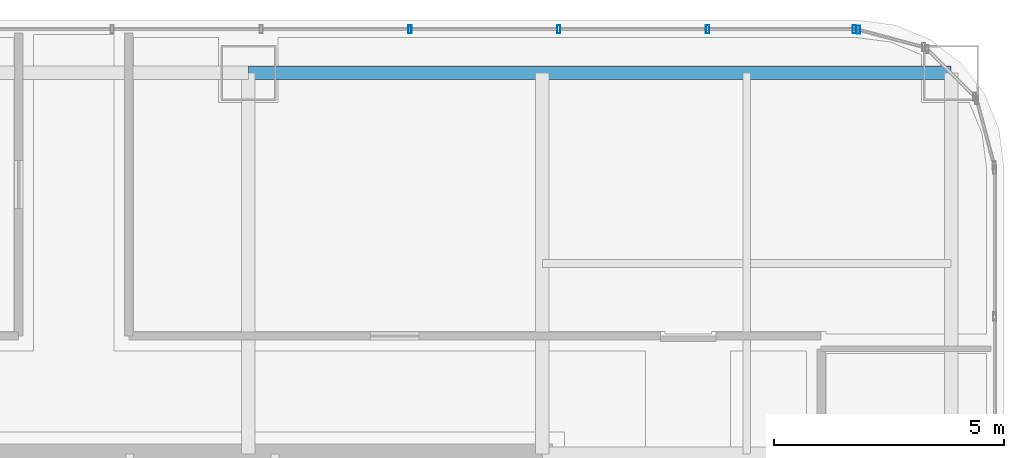
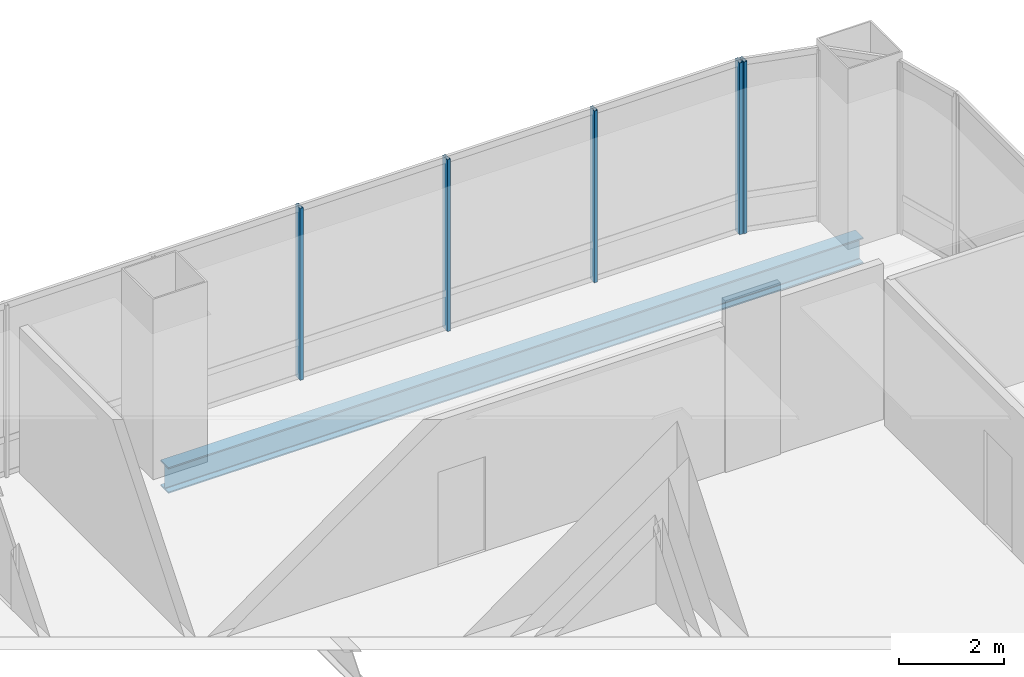
# One storey, part 31 of 43: 5 members, 1 beam, 2 elements without a shape of their own.
"""IFC4 building model written with IfcOpenShell, lengths in metres."""

import ifcopenshell
import ifcopenshell.guid

model = None  # the IFC model being written
_history = None  # IfcOwnerHistory: only IFC2X3 demands one
_inside = {}  # id of a spatial element -> (the spatial element, [elements in it])
_under = {}  # id of a project, library or spatial element -> (it, [spatial elements below it])
_declared = {}  # id of a project -> (the project, [libraries it declares])
_typed = {}  # id of a type object -> (the type object, [elements of that type])
_made_of = {}  # id of a material, layer set ... -> (it, [elements and type objects made of it])


def new_model(schema):
    """Start an empty IFC model of exactly this schema.

    Asked for "IFC4X3", IfcOpenShell would pick the latest addendum, in which some entities
    have other attributes; the version numbers below select the first issue.
    IFC2X3 requires an IfcOwnerHistory on every rooted entity: one is made here for all.
    """
    global model, _history
    if schema == "IFC4X3":
        model = ifcopenshell.file(schema_version=(4, 3, 0, 0))
    else:
        model = ifcopenshell.file(schema=schema)
    _inside.clear()
    _under.clear()
    _declared.clear()
    _typed.clear()
    _made_of.clear()
    _history = None
    if model.schema == "IFC2X3":
        org = make("IfcOrganization", Name="unknown")
        user = make(
            "IfcPersonAndOrganization",
            ThePerson=make("IfcPerson", FamilyName="unknown"),
            TheOrganization=org,
        )
        app = make(
            "IfcApplication",
            ApplicationDeveloper=org,
            Version="unknown",
            ApplicationFullName="unknown",
            ApplicationIdentifier="unknown",
        )
        _history = make(
            "IfcOwnerHistory",
            OwningUser=user,
            OwningApplication=app,
            ChangeAction="ADDED",
            CreationDate=0,
        )
    return model


def make(cls, **values):
    """One entity of the class cls with the attributes given. An attribute that is None is left unset."""
    return model.create_entity(
        cls, **{name: value for name, value in values.items() if value is not None}
    )


def rooted(cls, **values):
    """An entity with a GlobalId (a new one), such as an element, a storey or a relation."""
    return make(cls, GlobalId=ifcopenshell.guid.new(), OwnerHistory=_history, **values)


def si_unit(unit_type, name, prefix=None):
    """IfcSIUnit, for example si_unit("LENGTHUNIT", "METRE", prefix="MILLI")."""
    return make("IfcSIUnit", UnitType=unit_type, Prefix=prefix, Name=name)


def assignment(units):
    """IfcUnitAssignment: the units of a project."""
    return None if units is None else make("IfcUnitAssignment", Units=units)


def point(xyz):
    """IfcCartesianPoint."""
    return None if xyz is None else make("IfcCartesianPoint", Coordinates=xyz)


def direction(xyz):
    """IfcDirection."""
    return None if xyz is None else make("IfcDirection", DirectionRatios=xyz)


def frame(location, z_axis=None, x_axis=None):
    """IfcAxis2Placement3D, a coordinate frame: its origin and axes. An axis left out is left unset."""
    return make(
        "IfcAxis2Placement3D",
        Location=point(location),
        Axis=direction(z_axis),
        RefDirection=direction(x_axis),
    )


def frame_2d(location, x_axis=None):
    """IfcAxis2Placement2D, a coordinate frame in the plane: its origin and x axis."""
    return make(
        "IfcAxis2Placement2D", Location=point(location), RefDirection=direction(x_axis)
    )


def origin():
    """The frame at (0, 0, 0) with its axes left unset."""
    return frame((0.0, 0.0, 0.0))


def origin_2d():
    """The frame at (0, 0) in the plane with its x axis left unset."""
    return frame_2d((0.0, 0.0))


def place(relative_to, where):
    """IfcLocalPlacement: puts the frame where relative to a parent placement (None: the world)."""
    return make(
        "IfcLocalPlacement", PlacementRelTo=relative_to, RelativePlacement=where
    )


def context(
    kind, dimensions, precision=None, world=None, true_north=None, identifier=None
):
    """IfcGeometricRepresentationContext, for example the 3D "Model" context."""
    return make(
        "IfcGeometricRepresentationContext",
        ContextIdentifier=identifier,
        ContextType=kind,
        CoordinateSpaceDimension=dimensions,
        Precision=precision,
        WorldCoordinateSystem=world,
        TrueNorth=true_north,
    )


def subcontext(parent, identifier, kind, view, scale=None):
    """IfcGeometricRepresentationSubContext, for example "Body" below "Model"."""
    return make(
        "IfcGeometricRepresentationSubContext",
        ContextIdentifier=identifier,
        ContextType=kind,
        ParentContext=parent,
        TargetScale=scale,
        TargetView=view,
    )


def project(units=None, contexts=None):
    """IfcProject with its units and contexts."""
    return rooted(
        "IfcProject",
        Name="project",
        RepresentationContexts=contexts,
        UnitsInContext=assignment(units),
    )


def spatial(cls, under=None, at=None, **own):
    """A site, building, storey or space (cls), placed at a placement, below another one or the project."""
    s = rooted(cls, ObjectPlacement=at, **own)
    if under is not None:
        _under.setdefault(under.id(), (under, []))[1].append(s)
    return s


def profile(cls, at=None, kind="AREA", **sizes):
    """A parametric profile (cls). Its sizes go by their IFC names, for example OverallWidth=200.0."""
    return make(cls, ProfileType=kind, Position=at, **sizes)


def hollow_rectangle(**sizes):
    """IfcRectangleHollowProfileDef."""
    return profile("IfcRectangleHollowProfileDef", **sizes)


def i_section(**sizes):
    """IfcIShapeProfileDef."""
    return profile("IfcIShapeProfileDef", **sizes)


def extrude(swept, where, along, depth):
    """IfcExtrudedAreaSolid: the profile swept, set in the frame where, extruded along a direction by depth."""
    return make(
        "IfcExtrudedAreaSolid",
        SweptArea=swept,
        Position=where,
        ExtrudedDirection=direction(along),
        Depth=depth,
    )


def shape(context_of_items, identifier, shape_type, items):
    """IfcShapeRepresentation: the items that make up one representation, for example the "Body"."""
    return make(
        "IfcShapeRepresentation",
        ContextOfItems=context_of_items,
        RepresentationIdentifier=identifier,
        RepresentationType=shape_type,
        Items=items,
    )


def material(Name=None, Category=None):
    """IfcMaterial."""
    return make("IfcMaterial", Name=Name, Category=Category)


def material_profile(
    of_material, cross_section, Name=None, Category=None, Priority=None
):
    """IfcMaterialProfile: a cross section and its material."""
    return make(
        "IfcMaterialProfile",
        Name=Name,
        Material=of_material,
        Profile=cross_section,
        Priority=Priority,
        Category=Category,
    )


def profile_set(profiles, Name=None, composite=None):
    """IfcMaterialProfileSet."""
    return make(
        "IfcMaterialProfileSet",
        Name=Name,
        MaterialProfiles=profiles,
        CompositeProfile=composite,
    )


def made_of(thing, what):
    """Note that an element or type object is made of a material, layer set ...; save() writes the relation."""
    if what is not None:
        _made_of.setdefault(what.id(), (what, []))[1].append(thing)
    return thing


def type_object(cls, material=None, **own):
    """A type object (cls), such as IfcWallType, which elements share."""
    return made_of(rooted(cls, **own), material)


def element(
    cls,
    number,
    at=None,
    inside=None,
    cuts=None,
    type_object=None,
    material=None,
    context=None,
    identifier="Body",
    shape_type=None,
    held_by="IfcProductDefinitionShape",
    body=None,
    shapes=None,
    **own,
):
    """One element of the class cls, such as IfcWall. Its Tag is "e" and its number.

    at: its placement. inside: the storey or other place that contains it. cuts: it is an
    opening in that element (IfcRelVoidsElement). A single representation is given by context,
    identifier, shape_type and body (its items); several are given by shapes. held_by: the class
    of the entity that holds the representations. save() writes the other relations.
    """
    e = rooted(cls, Tag="e%d" % number, ObjectPlacement=at, **own)
    if body is not None:
        shapes = [shape(context, identifier, shape_type, body)]
    if shapes is not None:
        e.Representation = make(held_by, Representations=shapes)
    if inside is not None:
        _inside.setdefault(inside.id(), (inside, []))[1].append(e)
    if cuts is not None:
        rooted(
            "IfcRelVoidsElement", RelatingBuildingElement=cuts, RelatedOpeningElement=e
        )
    if type_object is not None:
        _typed.setdefault(type_object.id(), (type_object, []))[1].append(e)
    return made_of(e, material)


def aggregate(whole, parts):
    """IfcRelAggregates: a whole, such as a stair, and the parts it consists of."""
    return rooted("IfcRelAggregates", RelatingObject=whole, RelatedObjects=parts)


def save(model, path):
    """Write the relations noted so far, then the file.

    IfcRelAggregates (storeys below a building ...), IfcRelContainedInSpatialStructure (elements
    in a storey), IfcRelDefinesByType, IfcRelAssociatesMaterial and IfcRelDeclares: one each for
    every whole, place, type object, material and project.
    """
    for whole, parts in _under.values():
        aggregate(whole, parts)
    for where, things in _inside.values():
        rooted(
            "IfcRelContainedInSpatialStructure",
            RelatedElements=things,
            RelatingStructure=where,
        )
    for kind, things in _typed.values():
        rooted("IfcRelDefinesByType", RelatedObjects=things, RelatingType=kind)
    for what, things in _made_of.values():
        rooted("IfcRelAssociatesMaterial", RelatedObjects=things, RelatingMaterial=what)
    for by, libraries in _declared.values():
        rooted("IfcRelDeclares", RelatingContext=by, RelatedDefinitions=libraries)
    model.write(path)


model = new_model("IFC4")

# Units and contexts
model_context = context("Model", 3, precision=1e-05, world=origin(), true_north=direction((0.0, 1.0)))
body_context = subcontext(model_context, "Body", "Model", "MODEL_VIEW")
ifc_project = project(units=[si_unit("LENGTHUNIT", "METRE"), si_unit("AREAUNIT", "SQUARE_METRE"), si_unit("VOLUMEUNIT", "CUBIC_METRE"), si_unit("PLANEANGLEUNIT", "RADIAN"), si_unit("MASSUNIT", "GRAM", prefix="KILO")], contexts=[model_context])

# Site, building, storey
site_placement = place(None, origin())
site = spatial("IfcSite", under=ifc_project, at=site_placement, CompositionType="ELEMENT")
building_placement = place(site_placement, origin())
building = spatial("IfcBuilding", under=site, at=building_placement, Name="Punatoya Terracotta Tower", CompositionType="ELEMENT")
storey_placement = place(building_placement, frame((0.0, 0.0, 321.60009765625)))
storey = spatial("IfcBuildingStorey", under=building, at=storey_placement, Name="L76", CompositionType="ELEMENT", Elevation=321.60009765625)

# Beam
ifc_material_1 = material(Name="Steel S355", Category="steel")
ifc_material_profile_1 = material_profile(ifc_material_1, i_section(OverallWidth=0.300048828125, OverallDepth=0.60009765625, WebThickness=0.015380859375, FlangeThickness=0.030029296875, FilletRadius=0.01806640625, at=origin_2d()))
ifc_profile_set_1 = profile_set([ifc_material_profile_1], Name="Steel S355")
beam_type = type_object("IfcBeamType", Name="BM-PRI-600", PredefinedType="BEAM", material=ifc_profile_set_1)
beam_placement = place(storey_placement, frame((3.800048828125, 17.5, -0.5), z_axis=(1.0, 0.0, 0.0), x_axis=(0.0, 1.0, 0.0)))
element("IfcBeam", 1, at=beam_placement, inside=storey, type_object=beam_type, Name="BM-L76-RG-N3", PredefinedType="BEAM", context=body_context, shape_type="SweptSolid", body=[
    extrude(i_section(OverallWidth=0.300048828125, OverallDepth=0.60009765625, WebThickness=0.015380859375, FlangeThickness=0.030029296875, FilletRadius=0.01806640625, at=origin_2d()), origin(), (0.0, 0.0, 1.0), 15.300048828125),
])

# Curtain wall, member
ifc_material_2 = material(Name="Aluminium 6063-T6 + Double Low-E Glass", Category="aluminium")
curtain_wall_type = type_object("IfcCurtainWallType", Name="CW-OBS", PredefinedType="NOTDEFINED", material=ifc_material_2)
curtain_wall_1_placement = place(storey_placement, origin())
curtain_wall_1 = element("IfcCurtainWall", 2, at=curtain_wall_1_placement, inside=storey, type_object=curtain_wall_type, Name="L76 Curtain Wall CW-L76-CRN08", PredefinedType="NOTDEFINED")
ifc_material_3 = material(Name="Aluminium 6063-T6", Category="aluminium")
ifc_material_profile_2 = material_profile(ifc_material_3, hollow_rectangle(XDim=0.070068359375, YDim=0.179931640625, WallThickness=0.00390625, at=origin_2d()))
ifc_profile_set_2 = profile_set([ifc_material_profile_2], Name="Aluminium 6063-T6")
member_type = type_object("IfcMemberType", Name="CW-MUL-M3", PredefinedType="MULLION", material=ifc_profile_set_2)
member_1_placement = place(storey_placement, frame((17.080322265625, 18.4384765625, 0.0), z_axis=(0.0, 0.0, 1.0), x_axis=(1.0, 0.0, 0.0)))
member_1 = element("IfcMember", 3, at=member_1_placement, type_object=member_type, Name="CW-L76-CRN08 Mullion 01", PredefinedType="MULLION", context=body_context, shape_type="SweptSolid", body=[
    extrude(hollow_rectangle(XDim=0.070068359375, YDim=0.179931640625, WallThickness=0.00390625, at=origin_2d()), origin(), (0.0, 0.0, 1.0), 4.0),
])
aggregate(curtain_wall_1, [member_1])

# Curtain wall, members
curtain_wall_2_placement = place(storey_placement, origin())
curtain_wall_2 = element("IfcCurtainWall", 4, at=curtain_wall_2_placement, inside=storey, type_object=curtain_wall_type, Name="L76 Curtain Wall CW-L76-N09-1", PredefinedType="NOTDEFINED")
member_2_placement = place(storey_placement, frame((16.991943359375, 18.449951171875, 0.0), z_axis=(0.0, 0.0, 1.0), x_axis=(1.0, 0.0, 0.0)))
member_2 = element("IfcMember", 5, at=member_2_placement, type_object=member_type, Name="CW-L76-N09-1 Mullion 00", PredefinedType="MULLION", context=body_context, shape_type="SweptSolid", body=[
    extrude(hollow_rectangle(XDim=0.070068359375, YDim=0.179931640625, WallThickness=0.00390625, at=origin_2d()), origin(), (0.0, 0.0, 1.0), 4.0),
])
member_3_placement = place(storey_placement, frame((13.79736328125, 18.449951171875, 0.0), z_axis=(0.0, 0.0, 1.0), x_axis=(1.0, 0.0, 0.0)))
member_3 = element("IfcMember", 6, at=member_3_placement, type_object=member_type, Name="CW-L76-N09-1 Mullion 01", PredefinedType="MULLION", context=body_context, shape_type="SweptSolid", body=[
    extrude(hollow_rectangle(XDim=0.070068359375, YDim=0.179931640625, WallThickness=0.00390625, at=origin_2d()), origin(), (0.0, 0.0, 1.0), 4.0),
])
member_4_placement = place(storey_placement, frame((10.557861328125, 18.449951171875, 0.0), z_axis=(0.0, 0.0, 1.0), x_axis=(1.0, 0.0, 0.0)))
member_4 = element("IfcMember", 7, at=member_4_placement, type_object=member_type, Name="CW-L76-N09-1 Mullion 02", PredefinedType="MULLION", context=body_context, shape_type="SweptSolid", body=[
    extrude(hollow_rectangle(XDim=0.070068359375, YDim=0.179931640625, WallThickness=0.00390625, at=origin_2d()), origin(), (0.0, 0.0, 1.0), 4.0),
])
member_5_placement = place(storey_placement, frame((7.318359375, 18.449951171875, 0.0), z_axis=(0.0, 0.0, 1.0), x_axis=(1.0, 0.0, 0.0)))
member_5 = element("IfcMember", 8, at=member_5_placement, type_object=member_type, Name="CW-L76-N09-1 Mullion 03", PredefinedType="MULLION", context=body_context, shape_type="SweptSolid", body=[
    extrude(hollow_rectangle(XDim=0.070068359375, YDim=0.179931640625, WallThickness=0.00390625, at=origin_2d()), origin(), (0.0, 0.0, 1.0), 4.0),
])
aggregate(curtain_wall_2, [member_2, member_3, member_4, member_5])

save(model, "model.ifc")
